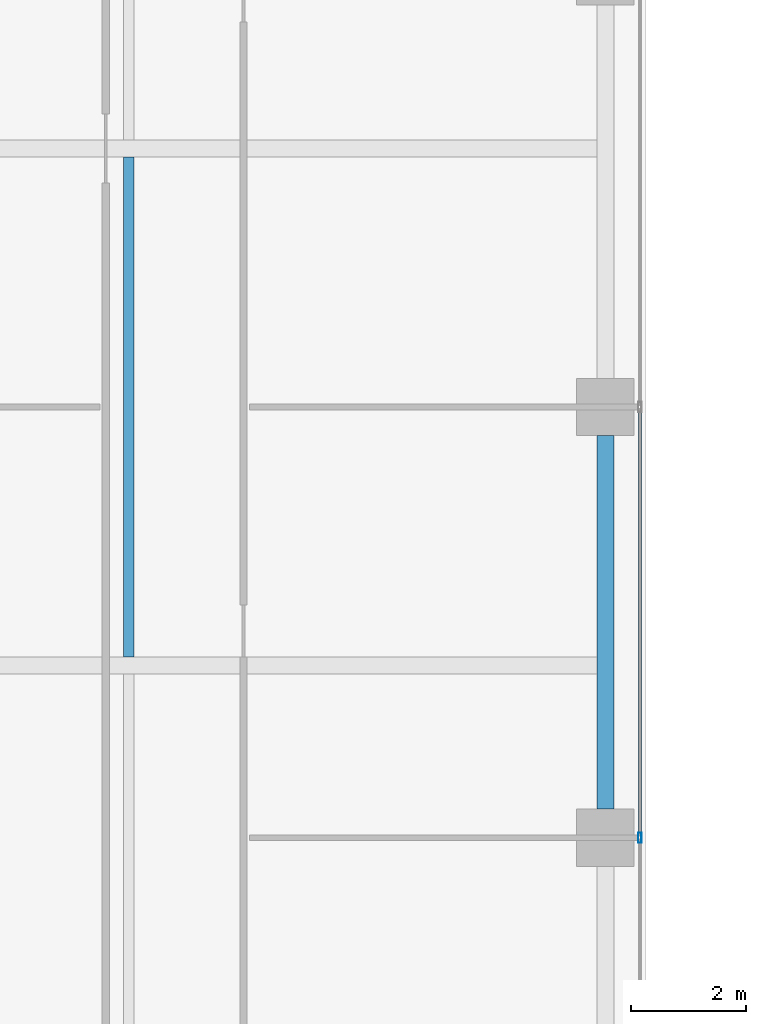
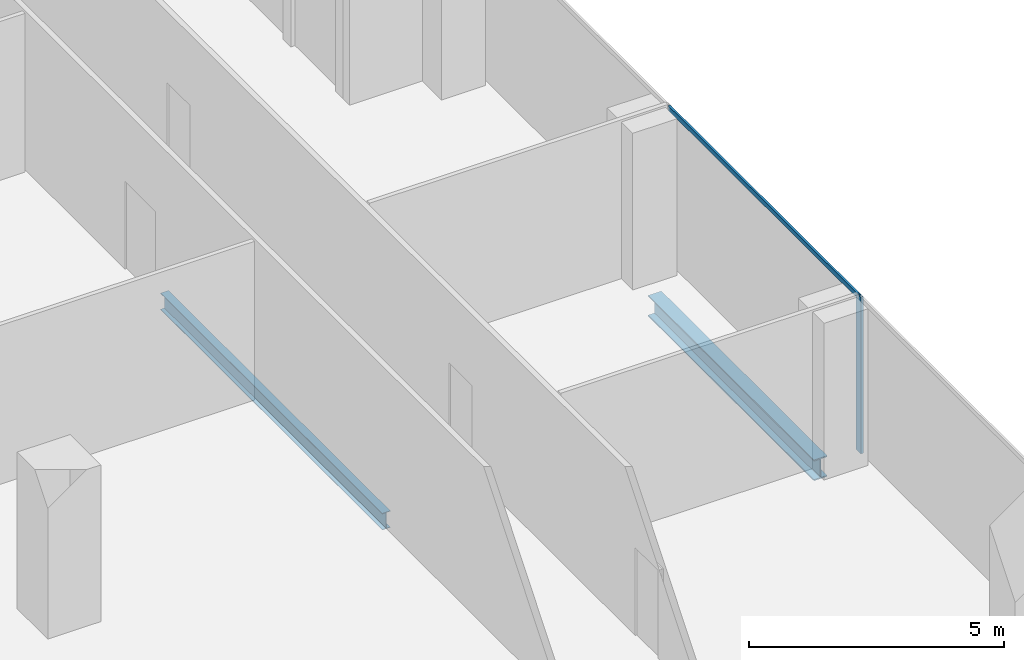
# One storey, part 14 of 40: 2 beams, 2 members, 1 element without a shape of its own.
"""IFC4 building model written with IfcOpenShell, lengths in metres."""

from ifc_helpers import new_model, si_unit, direction, frame, origin, origin_2d, place, context, subcontext, project, spatial, hollow_rectangle, i_section, extrude, source, transform, mapped, material, material_profile, profile_set, type_object, element, aggregate, save


model = new_model("IFC4")

# Units and contexts
model_context = context("Model", 3, precision=1e-05, world=origin(), true_north=direction((0.0, 1.0)))
body_context = subcontext(model_context, "Body", "Model", "MODEL_VIEW")
ifc_project = project(units=[si_unit("LENGTHUNIT", "METRE"), si_unit("AREAUNIT", "SQUARE_METRE"), si_unit("VOLUMEUNIT", "CUBIC_METRE"), si_unit("PLANEANGLEUNIT", "RADIAN"), si_unit("MASSUNIT", "GRAM", prefix="KILO")], contexts=[model_context])

# Site, building, storey
site_placement = place(None, origin())
site = spatial("IfcSite", under=ifc_project, at=site_placement, CompositionType="ELEMENT")
building_placement = place(site_placement, origin())
building = spatial("IfcBuilding", under=site, at=building_placement, Name="Khomas Fold Tower", CompositionType="ELEMENT")
storey_placement = place(building_placement, frame((0.0, 0.0, 192.699951171875)))
storey = spatial("IfcBuildingStorey", under=building, at=storey_placement, Name="L42", CompositionType="ELEMENT", Elevation=192.699951171875)

# Beams
ifc_material_1 = material(Name="Steel S355", Category="steel")
ifc_material_profile_1 = material_profile(ifc_material_1, i_section(OverallWidth=0.179931640625, OverallDepth=0.39990234375, WebThickness=0.008544921875, FlangeThickness=0.013427734375, at=origin_2d()), Name="IPE 400")
ifc_profile_set_1 = profile_set([ifc_material_profile_1], Name="Steel S355")
beam_type_1 = type_object("IfcBeamType", Name="IPE 400 beam JB3", PredefinedType="BEAM", material=ifc_profile_set_1)
shared_shape_1 = source(origin(), body_context, "Body", "SweptSolid", [
    extrude(i_section(OverallWidth=0.179931640625, OverallDepth=0.39990234375, WebThickness=0.008544921875, FlangeThickness=0.013427734375, at=origin_2d()), origin(), (0.0, 0.0, 1.0), 8.7001953125),
])
beam_1_placement = place(storey_placement, frame((42.0, 22.64990234375, -0.449951171875), z_axis=(0.0, 1.0, 0.0), x_axis=(-1.0, 0.0, 0.0)))
element("IfcBeam", 1, at=beam_1_placement, inside=storey, type_object=beam_type_1, Name="JB3", PredefinedType="BEAM", context=body_context, shape_type="MappedRepresentation", body=[
    mapped(shared_shape_1, transform((0.0, 0.0, 0.0))),
])
ifc_material_2 = material(Name="Steel S355", Category="steel")
ifc_material_profile_2 = material_profile(ifc_material_2, i_section(OverallWidth=0.300048828125, OverallDepth=0.5, WebThickness=0.014404296875, FlangeThickness=0.028076171875, at=origin_2d()), Name="HE 500 B")
ifc_profile_set_2 = profile_set([ifc_material_profile_2], Name="Steel S355")
beam_type_2 = type_object("IfcBeamType", Name="HE 500 B spandrel SB3", PredefinedType="SPANDREL", material=ifc_profile_set_2)
shared_shape_2 = source(origin(), body_context, "Body", "SweptSolid", [
    extrude(i_section(OverallWidth=0.300048828125, OverallDepth=0.5, WebThickness=0.014404296875, FlangeThickness=0.028076171875, at=origin_2d()), origin(), (0.0, 0.0, 1.0), 6.5),
])
beam_2_placement = place(storey_placement, frame((50.300048828125, 20.0, -0.5), z_axis=(0.0, 1.0, 0.0), x_axis=(-1.0, 0.0, 0.0)))
element("IfcBeam", 2, at=beam_2_placement, inside=storey, type_object=beam_type_2, Name="SB3", PredefinedType="SPANDREL", context=body_context, shape_type="MappedRepresentation", body=[
    mapped(shared_shape_2, transform((0.0, 0.0, 0.0))),
])

# Curtain wall, members
ifc_material_3 = material(Name="Aluminium framed double glazing", Category="aluminium")
curtain_wall_type = type_object("IfcCurtainWallType", Name="SK-Unitised clear-glass wall, office floors CW2", PredefinedType="NOTDEFINED", material=ifc_material_3)
curtain_wall_placement = place(storey_placement, origin())
curtain_wall = element("IfcCurtainWall", 3, at=curtain_wall_placement, inside=storey, type_object=curtain_wall_type, Name="CW2 run L42 03-0", PredefinedType="NOTDEFINED")
ifc_material_4 = material(Name="Aluminium", Category="aluminium")
ifc_material_profile_3 = material_profile(ifc_material_4, hollow_rectangle(XDim=0.06005859375, YDim=0.179931640625, WallThickness=0.00390625, at=origin_2d()), Name="SK-Unitised clear-glass wall, office floors mullion CW2-M")
ifc_profile_set_3 = profile_set([ifc_material_profile_3], Name="Aluminium")
member_type_1 = type_object("IfcMemberType", Name="SK-Unitised clear-glass wall, office floors mullion CW2-M", PredefinedType="MULLION", material=ifc_profile_set_3)
shared_shape_3 = source(origin(), body_context, "Body", "SweptSolid", [
    extrude(hollow_rectangle(XDim=0.06005859375, YDim=0.179931640625, WallThickness=0.00390625, at=origin_2d()), origin(), (0.0, 0.0, 1.0), 3.75),
])
member_1_placement = place(storey_placement, frame((50.89990234375, 19.5, 0.0), z_axis=(0.0, 0.0, 1.0), x_axis=(-1.0, 0.0, 0.0)))
member_1 = element("IfcMember", 4, at=member_1_placement, type_object=member_type_1, Name="CW2 mullion 4", PredefinedType="MULLION", context=body_context, shape_type="MappedRepresentation", body=[
    mapped(shared_shape_3, transform((0.0, 0.0, 0.0))),
])
ifc_material_5 = material(Name="Aluminium", Category="aluminium")
ifc_material_profile_4 = material_profile(ifc_material_5, hollow_rectangle(XDim=0.050048828125, YDim=0.110107421875, WallThickness=0.00390625, at=origin_2d()), Name="SK-Unitised clear-glass wall, office floors transom CW2-T")
ifc_profile_set_4 = profile_set([ifc_material_profile_4], Name="Aluminium")
member_type_2 = type_object("IfcMemberType", Name="SK-Unitised clear-glass wall, office floors transom CW2-T", PredefinedType="USERDEFINED", material=ifc_profile_set_4)
shared_shape_4 = source(origin(), body_context, "Body", "SweptSolid", [
    extrude(hollow_rectangle(XDim=0.050048828125, YDim=0.110107421875, WallThickness=0.00390625, at=origin_2d()), origin(), (0.0, 0.0, 1.0), 7.43994140625),
])
member_2_placement = place(storey_placement, frame((50.89990234375, 19.530029296875, 3.695068359375), z_axis=(0.0, 1.0, 0.0), x_axis=(-1.0, 0.0, 0.0)))
member_2 = element("IfcMember", 5, at=member_2_placement, type_object=member_type_2, Name="CW2 transom 4", ObjectType="TRANSOM", PredefinedType="USERDEFINED", context=body_context, shape_type="MappedRepresentation", body=[
    mapped(shared_shape_4, transform((0.0, 0.0, 0.0))),
])
aggregate(curtain_wall, [member_1, member_2])

save(model, "model.ifc")
